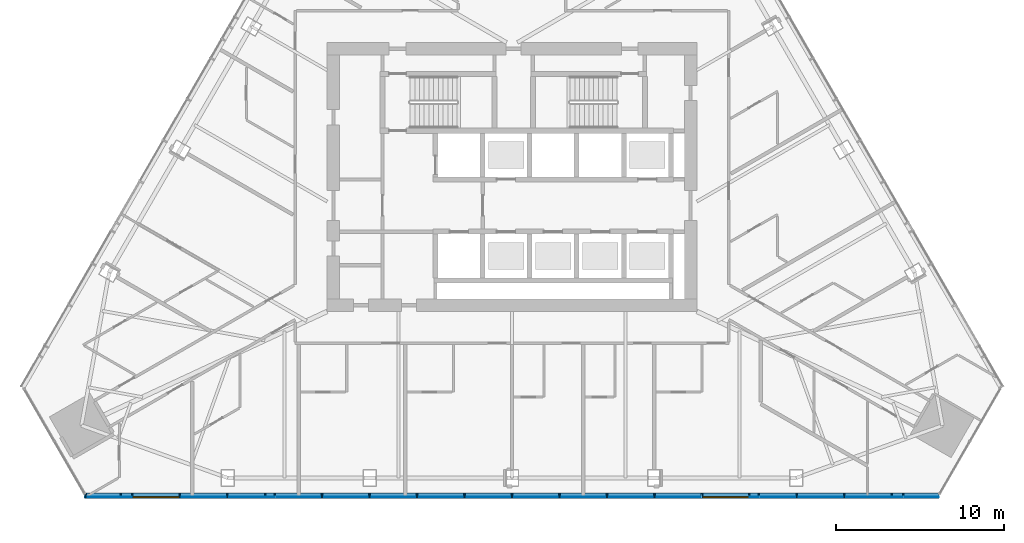
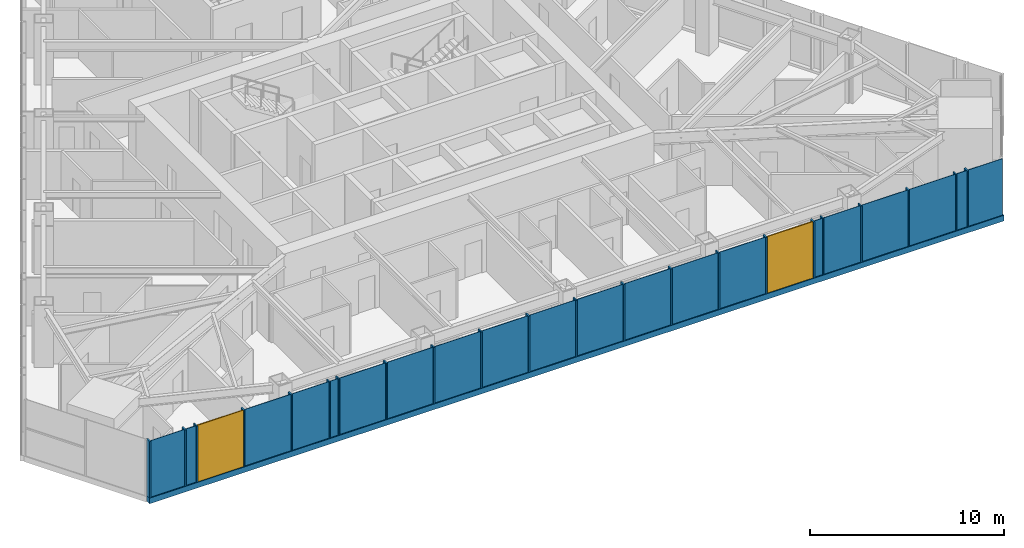
# One storey, part 3 of 20: 23 members, 20 plates, 2 windows, 2 openings, 1 element without a shape of its own.
"""IFC4 building model written with IfcOpenShell, lengths in metres."""

from ifc_helpers import new_model, si_unit, direction, frame, frame_2d, origin, origin_2d, place, context, subcontext, project, spatial, polyline, rectangle, outline, extrude, material, layer, layer_set, material_profile, profile_set, type_object, element, fill, aggregate, save


model = new_model("IFC4")

# Units and contexts
model_context = context("Model", 3, precision=1e-05, world=origin(), true_north=direction((0.0, 1.0)))
body_context = subcontext(model_context, "Body", "Model", "MODEL_VIEW")
ifc_project = project(units=[si_unit("LENGTHUNIT", "METRE"), si_unit("AREAUNIT", "SQUARE_METRE"), si_unit("VOLUMEUNIT", "CUBIC_METRE"), si_unit("PLANEANGLEUNIT", "RADIAN"), si_unit("MASSUNIT", "GRAM", prefix="KILO")], contexts=[model_context])

# Site, building, storey
site_placement = place(None, origin())
site = spatial("IfcSite", under=ifc_project, at=site_placement, CompositionType="ELEMENT")
building_placement = place(site_placement, origin())
building = spatial("IfcBuilding", under=site, at=building_placement, Name="Firuza Gate Tower and Library", CompositionType="ELEMENT")
storey_placement = place(building_placement, frame((0.0, 0.0, 214.300048828125)))
storey = spatial("IfcBuildingStorey", under=building, at=storey_placement, Name="L50", CompositionType="ELEMENT", Elevation=214.300048828125)

# Curtain wall, openings, members, plates, windows
ifc_material_1 = material(Name="Aluminium 6063-T6", Category="aluminium")
ifc_layer_1 = layer(ifc_material_1, 0.14990234375)
ifc_layer_set_1 = layer_set([ifc_layer_1], Name="Unitised curtain wall, hotel")
curtain_wall_type = type_object("IfcCurtainWallType", Name="Unitised curtain wall, hotel", PredefinedType="NOTDEFINED", material=ifc_layer_set_1)
curtain_wall_placement = place(storey_placement, origin())
curtain_wall = element("IfcCurtainWall", 1, at=curtain_wall_placement, inside=storey, type_object=curtain_wall_type, Name="CW2 L50 S face", PredefinedType="NOTDEFINED")
opening_1_placement = place(curtain_wall_placement, frame((52.453125, 55.952392578125, 0.14990234375), z_axis=(0.0, 0.0, 1.0), x_axis=(1.0, 0.0, 0.0)))
opening_1 = element("IfcOpeningElement", 2, at=opening_1_placement, cuts=curtain_wall, Name="Opening WD1-003", PredefinedType="OPENING", context=body_context, shape_type="SweptSolid", body=[
    extrude(rectangle(XDim=2.743408203125, YDim=3.550048828125, at=frame_2d((1.37158203125, 1.77490234375))), frame((0.0, 0.0849609375, 0.0), z_axis=(0.0, -1.0, 0.0), x_axis=(1.0, 0.0, 0.0)), (0.0, 0.0, 1.0), 0.169921875),
])
opening_2_placement = place(curtain_wall_placement, frame((86.33349609375, 55.952392578125, 0.14990234375), z_axis=(0.0, 0.0, 1.0), x_axis=(1.0, 0.0, 0.0)))
opening_2 = element("IfcOpeningElement", 3, at=opening_2_placement, cuts=curtain_wall, Name="Opening WD1-004", PredefinedType="OPENING", context=body_context, shape_type="SweptSolid", body=[
    extrude(rectangle(XDim=2.743408203125, YDim=3.550048828125, at=frame_2d((1.37158203125, 1.77490234375))), frame((0.0, 0.0849609375, 0.0), z_axis=(0.0, -1.0, 0.0), x_axis=(1.0, 0.0, 0.0)), (0.0, 0.0, 1.0), 0.169921875),
])
ifc_material_2 = material(Name="Aluminium 6063-T6", Category="aluminium")
ifc_material_profile_1 = material_profile(ifc_material_2, rectangle(XDim=0.320068359375, YDim=0.080078125, at=origin_2d()))
ifc_profile_set_1 = profile_set([ifc_material_profile_1], Name="Aluminium 6063-T6")
member_type_1 = type_object("IfcMemberType", Name="Curtain wall mullion 80x320", PredefinedType="MULLION", material=ifc_profile_set_1)
member_1_placement = place(storey_placement, frame((49.629638671875, 56.037353515625, 0.14990234375), z_axis=(0.0, 0.0, 1.0), x_axis=(0.0, 1.0, 0.0)))
member_1 = element("IfcMember", 4, at=member_1_placement, type_object=member_type_1, Name="Mullion", PredefinedType="MULLION", context=body_context, shape_type="SweptSolid", body=[
    extrude(rectangle(XDim=0.320068359375, YDim=0.080078125, at=origin_2d()), origin(), (0.0, 0.0, 1.0), 3.550048828125),
])
member_2_placement = place(storey_placement, frame((52.4130859375, 56.037353515625, 0.14990234375), z_axis=(0.0, 0.0, 1.0), x_axis=(0.0, 1.0, 0.0)))
member_2 = element("IfcMember", 5, at=member_2_placement, type_object=member_type_1, Name="Mullion", PredefinedType="MULLION", context=body_context, shape_type="SweptSolid", body=[
    extrude(rectangle(XDim=0.320068359375, YDim=0.080078125, at=origin_2d()), origin(), (0.0, 0.0, 1.0), 3.550048828125),
])
member_3_placement = place(storey_placement, frame((55.236328125, 56.037353515625, 0.14990234375), z_axis=(0.0, 0.0, 1.0), x_axis=(0.0, 1.0, 0.0)))
member_3 = element("IfcMember", 6, at=member_3_placement, type_object=member_type_1, Name="Mullion", PredefinedType="MULLION", context=body_context, shape_type="SweptSolid", body=[
    extrude(rectangle(XDim=0.320068359375, YDim=0.080078125, at=origin_2d()), origin(), (0.0, 0.0, 1.0), 3.550048828125),
])
member_4_placement = place(storey_placement, frame((58.059814453125, 56.037353515625, 0.14990234375), z_axis=(0.0, 0.0, 1.0), x_axis=(0.0, 1.0, 0.0)))
member_4 = element("IfcMember", 7, at=member_4_placement, type_object=member_type_1, Name="Mullion", PredefinedType="MULLION", context=body_context, shape_type="SweptSolid", body=[
    extrude(rectangle(XDim=0.320068359375, YDim=0.080078125, at=origin_2d()), origin(), (0.0, 0.0, 1.0), 3.550048828125),
])
member_5_placement = place(storey_placement, frame((60.883056640625, 56.037353515625, 0.14990234375), z_axis=(0.0, 0.0, 1.0), x_axis=(0.0, 1.0, 0.0)))
member_5 = element("IfcMember", 8, at=member_5_placement, type_object=member_type_1, Name="Mullion", PredefinedType="MULLION", context=body_context, shape_type="SweptSolid", body=[
    extrude(rectangle(XDim=0.320068359375, YDim=0.080078125, at=origin_2d()), origin(), (0.0, 0.0, 1.0), 3.550048828125),
])
member_6_placement = place(storey_placement, frame((63.70654296875, 56.037353515625, 0.14990234375), z_axis=(0.0, 0.0, 1.0), x_axis=(0.0, 1.0, 0.0)))
member_6 = element("IfcMember", 9, at=member_6_placement, type_object=member_type_1, Name="Mullion", PredefinedType="MULLION", context=body_context, shape_type="SweptSolid", body=[
    extrude(rectangle(XDim=0.320068359375, YDim=0.080078125, at=origin_2d()), origin(), (0.0, 0.0, 1.0), 3.550048828125),
])
member_7_placement = place(storey_placement, frame((66.52978515625, 56.037353515625, 0.14990234375), z_axis=(0.0, 0.0, 1.0), x_axis=(0.0, 1.0, 0.0)))
member_7 = element("IfcMember", 10, at=member_7_placement, type_object=member_type_1, Name="Mullion", PredefinedType="MULLION", context=body_context, shape_type="SweptSolid", body=[
    extrude(rectangle(XDim=0.320068359375, YDim=0.080078125, at=origin_2d()), origin(), (0.0, 0.0, 1.0), 3.550048828125),
])
member_8_placement = place(storey_placement, frame((69.353271484375, 56.037353515625, 0.14990234375), z_axis=(0.0, 0.0, 1.0), x_axis=(0.0, 1.0, 0.0)))
member_8 = element("IfcMember", 11, at=member_8_placement, type_object=member_type_1, Name="Mullion", PredefinedType="MULLION", context=body_context, shape_type="SweptSolid", body=[
    extrude(rectangle(XDim=0.320068359375, YDim=0.080078125, at=origin_2d()), origin(), (0.0, 0.0, 1.0), 3.550048828125),
])
member_9_placement = place(storey_placement, frame((72.176513671875, 56.037353515625, 0.14990234375), z_axis=(0.0, 0.0, 1.0), x_axis=(0.0, 1.0, 0.0)))
member_9 = element("IfcMember", 12, at=member_9_placement, type_object=member_type_1, Name="Mullion", PredefinedType="MULLION", context=body_context, shape_type="SweptSolid", body=[
    extrude(rectangle(XDim=0.320068359375, YDim=0.080078125, at=origin_2d()), origin(), (0.0, 0.0, 1.0), 3.550048828125),
])
member_10_placement = place(storey_placement, frame((75.0, 56.037353515625, 0.14990234375), z_axis=(0.0, 0.0, 1.0), x_axis=(0.0, 1.0, 0.0)))
member_10 = element("IfcMember", 13, at=member_10_placement, type_object=member_type_1, Name="Mullion", PredefinedType="MULLION", context=body_context, shape_type="SweptSolid", body=[
    extrude(rectangle(XDim=0.320068359375, YDim=0.080078125, at=origin_2d()), origin(), (0.0, 0.0, 1.0), 3.550048828125),
])
member_11_placement = place(storey_placement, frame((77.823486328125, 56.037353515625, 0.14990234375), z_axis=(0.0, 0.0, 1.0), x_axis=(0.0, 1.0, 0.0)))
member_11 = element("IfcMember", 14, at=member_11_placement, type_object=member_type_1, Name="Mullion", PredefinedType="MULLION", context=body_context, shape_type="SweptSolid", body=[
    extrude(rectangle(XDim=0.320068359375, YDim=0.080078125, at=origin_2d()), origin(), (0.0, 0.0, 1.0), 3.550048828125),
])
member_12_placement = place(storey_placement, frame((80.646728515625, 56.037353515625, 0.14990234375), z_axis=(0.0, 0.0, 1.0), x_axis=(0.0, 1.0, 0.0)))
member_12 = element("IfcMember", 15, at=member_12_placement, type_object=member_type_1, Name="Mullion", PredefinedType="MULLION", context=body_context, shape_type="SweptSolid", body=[
    extrude(rectangle(XDim=0.320068359375, YDim=0.080078125, at=origin_2d()), origin(), (0.0, 0.0, 1.0), 3.550048828125),
])
member_13_placement = place(storey_placement, frame((83.47021484375, 56.037353515625, 0.14990234375), z_axis=(0.0, 0.0, 1.0), x_axis=(0.0, 1.0, 0.0)))
member_13 = element("IfcMember", 16, at=member_13_placement, type_object=member_type_1, Name="Mullion", PredefinedType="MULLION", context=body_context, shape_type="SweptSolid", body=[
    extrude(rectangle(XDim=0.320068359375, YDim=0.080078125, at=origin_2d()), origin(), (0.0, 0.0, 1.0), 3.550048828125),
])
member_14_placement = place(storey_placement, frame((86.29345703125, 56.037353515625, 0.14990234375), z_axis=(0.0, 0.0, 1.0), x_axis=(0.0, 1.0, 0.0)))
member_14 = element("IfcMember", 17, at=member_14_placement, type_object=member_type_1, Name="Mullion", PredefinedType="MULLION", context=body_context, shape_type="SweptSolid", body=[
    extrude(rectangle(XDim=0.320068359375, YDim=0.080078125, at=origin_2d()), origin(), (0.0, 0.0, 1.0), 3.550048828125),
])
member_15_placement = place(storey_placement, frame((89.116943359375, 56.037353515625, 0.14990234375), z_axis=(0.0, 0.0, 1.0), x_axis=(0.0, 1.0, 0.0)))
member_15 = element("IfcMember", 18, at=member_15_placement, type_object=member_type_1, Name="Mullion", PredefinedType="MULLION", context=body_context, shape_type="SweptSolid", body=[
    extrude(rectangle(XDim=0.320068359375, YDim=0.080078125, at=origin_2d()), origin(), (0.0, 0.0, 1.0), 3.550048828125),
])
member_16_placement = place(storey_placement, frame((91.940185546875, 56.037353515625, 0.14990234375), z_axis=(0.0, 0.0, 1.0), x_axis=(0.0, 1.0, 0.0)))
member_16 = element("IfcMember", 19, at=member_16_placement, type_object=member_type_1, Name="Mullion", PredefinedType="MULLION", context=body_context, shape_type="SweptSolid", body=[
    extrude(rectangle(XDim=0.320068359375, YDim=0.080078125, at=origin_2d()), origin(), (0.0, 0.0, 1.0), 3.550048828125),
])
member_17_placement = place(storey_placement, frame((94.763671875, 56.037353515625, 0.14990234375), z_axis=(0.0, 0.0, 1.0), x_axis=(0.0, 1.0, 0.0)))
member_17 = element("IfcMember", 20, at=member_17_placement, type_object=member_type_1, Name="Mullion", PredefinedType="MULLION", context=body_context, shape_type="SweptSolid", body=[
    extrude(rectangle(XDim=0.320068359375, YDim=0.080078125, at=origin_2d()), origin(), (0.0, 0.0, 1.0), 3.550048828125),
])
member_18_placement = place(storey_placement, frame((97.5869140625, 56.037353515625, 0.14990234375), z_axis=(0.0, 0.0, 1.0), x_axis=(0.0, 1.0, 0.0)))
member_18 = element("IfcMember", 21, at=member_18_placement, type_object=member_type_1, Name="Mullion", PredefinedType="MULLION", context=body_context, shape_type="SweptSolid", body=[
    extrude(rectangle(XDim=0.320068359375, YDim=0.080078125, at=origin_2d()), origin(), (0.0, 0.0, 1.0), 3.550048828125),
])
member_19_placement = place(storey_placement, frame((51.729248046875, 56.037353515625, 0.14990234375), z_axis=(0.0, 0.0, 1.0), x_axis=(0.0, 1.0, 0.0)))
member_19 = element("IfcMember", 22, at=member_19_placement, type_object=member_type_1, Name="Mullion", PredefinedType="MULLION", context=body_context, shape_type="SweptSolid", body=[
    extrude(rectangle(XDim=0.320068359375, YDim=0.080078125, at=origin_2d()), origin(), (0.0, 0.0, 1.0), 3.550048828125),
])
member_20_placement = place(storey_placement, frame((60.322998046875, 56.037353515625, 0.14990234375), z_axis=(0.0, 0.0, 1.0), x_axis=(0.0, 1.0, 0.0)))
member_20 = element("IfcMember", 23, at=member_20_placement, type_object=member_type_1, Name="Mullion", PredefinedType="MULLION", context=body_context, shape_type="SweptSolid", body=[
    extrude(rectangle(XDim=0.320068359375, YDim=0.080078125, at=origin_2d()), origin(), (0.0, 0.0, 1.0), 3.550048828125),
])
member_21_placement = place(storey_placement, frame((89.677001953125, 56.037353515625, 0.14990234375), z_axis=(0.0, 0.0, 1.0), x_axis=(0.0, 1.0, 0.0)))
member_21 = element("IfcMember", 24, at=member_21_placement, type_object=member_type_1, Name="Mullion", PredefinedType="MULLION", context=body_context, shape_type="SweptSolid", body=[
    extrude(rectangle(XDim=0.320068359375, YDim=0.080078125, at=origin_2d()), origin(), (0.0, 0.0, 1.0), 3.550048828125),
])
member_22_placement = place(storey_placement, frame((98.270751953125, 56.037353515625, 0.14990234375), z_axis=(0.0, 0.0, 1.0), x_axis=(0.0, 1.0, 0.0)))
member_22 = element("IfcMember", 25, at=member_22_placement, type_object=member_type_1, Name="Mullion", PredefinedType="MULLION", context=body_context, shape_type="SweptSolid", body=[
    extrude(rectangle(XDim=0.320068359375, YDim=0.080078125, at=origin_2d()), origin(), (0.0, 0.0, 1.0), 3.550048828125),
])
ifc_material_3 = material(Name="Aluminium 6063-T6", Category="aluminium")
ifc_material_profile_2 = material_profile(ifc_material_3, rectangle(XDim=0.320068359375, YDim=0.35009765625, at=origin_2d()))
ifc_profile_set_2 = profile_set([ifc_material_profile_2], Name="Aluminium 6063-T6")
member_type_2 = type_object("IfcMemberType", Name="Curtain wall transom 350x320", PredefinedType="USERDEFINED", material=ifc_profile_set_2)
member_23_placement = place(storey_placement, frame((49.589599609375, 56.037353515625, -0.025146484375), z_axis=(1.0, 0.0, 0.0), x_axis=(0.0, 1.0, 0.0)))
member_23 = element("IfcMember", 26, at=member_23_placement, type_object=member_type_2, Name="Transom", ObjectType="TRANSOM", PredefinedType="USERDEFINED", context=body_context, shape_type="SweptSolid", body=[
    extrude(rectangle(XDim=0.320068359375, YDim=0.35009765625, at=origin_2d()), origin(), (0.0, 0.0, 1.0), 50.82080078125),
])
ifc_material_4 = material(Name="Fritted glass", Category="glass")
ifc_layer_2 = layer(ifc_material_4, 0.030029296875)
ifc_layer_set_2 = layer_set([ifc_layer_2], Name="Fritted glass unit, hotel")
plate_type_1 = type_object("IfcPlateType", Name="Fritted glass unit, hotel", PredefinedType="CURTAIN_PANEL", material=ifc_layer_set_2)
plate_1_placement = place(storey_placement, frame((51.769287109375, 55.9375, 0.14990234375), z_axis=(0.0, -1.0, 0.0), x_axis=(1.0, 0.0, 0.0)))
plate_1 = element("IfcPlate", 27, at=plate_1_placement, type_object=plate_type_1, Name="Glass unit", PredefinedType="CURTAIN_PANEL", context=body_context, shape_type="SweptSolid", body=[
    extrude(outline(polyline([(0.0, 0.0), (0.603759765625, 0.0), (0.603759765625, 3.550048828125), (0.0, 3.550048828125), (0.0, 0.0)])), origin(), (0.0, 0.0, -1.0), 0.030029296875),
])
plate_2_placement = place(storey_placement, frame((60.363037109375, 55.9375, 0.14990234375), z_axis=(0.0, -1.0, 0.0), x_axis=(1.0, 0.0, 0.0)))
plate_2 = element("IfcPlate", 28, at=plate_2_placement, type_object=plate_type_1, Name="Glass unit", PredefinedType="CURTAIN_PANEL", context=body_context, shape_type="SweptSolid", body=[
    extrude(outline(polyline([(0.0, 0.0), (0.480224609375, 0.0), (0.480224609375, 3.550048828125), (0.0, 3.550048828125), (0.0, 0.0)])), origin(), (0.0, 0.0, -1.0), 0.030029296875),
])
plate_3_placement = place(storey_placement, frame((60.923095703125, 55.9375, 0.14990234375), z_axis=(0.0, -1.0, 0.0), x_axis=(1.0, 0.0, 0.0)))
plate_3 = element("IfcPlate", 29, at=plate_3_placement, type_object=plate_type_1, Name="Glass unit", PredefinedType="CURTAIN_PANEL", context=body_context, shape_type="SweptSolid", body=[
    extrude(outline(polyline([(0.0, 0.0), (2.743408203125, 0.0), (2.743408203125, 3.550048828125), (0.0, 3.550048828125), (0.0, 0.0)])), origin(), (0.0, 0.0, -1.0), 0.030029296875),
])
plate_4_placement = place(storey_placement, frame((69.393310546875, 55.9375, 0.14990234375), z_axis=(0.0, -1.0, 0.0), x_axis=(1.0, 0.0, 0.0)))
plate_4 = element("IfcPlate", 30, at=plate_4_placement, type_object=plate_type_1, Name="Glass unit", PredefinedType="CURTAIN_PANEL", context=body_context, shape_type="SweptSolid", body=[
    extrude(outline(polyline([(0.0, 0.0), (2.743408203125, 0.0), (2.743408203125, 3.550048828125), (0.0, 3.550048828125), (0.0, 0.0)])), origin(), (0.0, 0.0, -1.0), 0.030029296875),
])
plate_5_placement = place(storey_placement, frame((77.86328125, 55.9375, 0.14990234375), z_axis=(0.0, -1.0, 0.0), x_axis=(1.0, 0.0, 0.0)))
plate_5 = element("IfcPlate", 31, at=plate_5_placement, type_object=plate_type_1, Name="Glass unit", PredefinedType="CURTAIN_PANEL", context=body_context, shape_type="SweptSolid", body=[
    extrude(outline(polyline([(0.0, 0.0), (2.743408203125, 0.0), (2.743408203125, 3.550048828125), (0.0, 3.550048828125), (0.0, 0.0)])), origin(), (0.0, 0.0, -1.0), 0.030029296875),
])
plate_6_placement = place(storey_placement, frame((89.15673828125, 55.9375, 0.14990234375), z_axis=(0.0, -1.0, 0.0), x_axis=(1.0, 0.0, 0.0)))
plate_6 = element("IfcPlate", 32, at=plate_6_placement, type_object=plate_type_1, Name="Glass unit", PredefinedType="CURTAIN_PANEL", context=body_context, shape_type="SweptSolid", body=[
    extrude(outline(polyline([(0.0, 0.0), (0.480224609375, 0.0), (0.480224609375, 3.550048828125), (0.0, 3.550048828125), (0.0, 0.0)])), origin(), (0.0, 0.0, -1.0), 0.030029296875),
])
plate_7_placement = place(storey_placement, frame((94.803466796875, 55.9375, 0.14990234375), z_axis=(0.0, -1.0, 0.0), x_axis=(1.0, 0.0, 0.0)))
plate_7 = element("IfcPlate", 33, at=plate_7_placement, type_object=plate_type_1, Name="Glass unit", PredefinedType="CURTAIN_PANEL", context=body_context, shape_type="SweptSolid", body=[
    extrude(outline(polyline([(0.0, 0.0), (2.743408203125, 0.0), (2.743408203125, 3.550048828125), (0.0, 3.550048828125), (0.0, 0.0)])), origin(), (0.0, 0.0, -1.0), 0.030029296875),
])
plate_8_placement = place(storey_placement, frame((97.626953125, 55.9375, 0.14990234375), z_axis=(0.0, -1.0, 0.0), x_axis=(1.0, 0.0, 0.0)))
plate_8 = element("IfcPlate", 34, at=plate_8_placement, type_object=plate_type_1, Name="Glass unit", PredefinedType="CURTAIN_PANEL", context=body_context, shape_type="SweptSolid", body=[
    extrude(outline(polyline([(0.0, 0.0), (0.603759765625, 0.0), (0.603759765625, 3.550048828125), (0.0, 3.550048828125), (0.0, 0.0)])), origin(), (0.0, 0.0, -1.0), 0.030029296875),
])
ifc_material_5 = material(Name="Glazed ceramic tile")
ifc_layer_3 = layer(ifc_material_5, 0.030029296875)
ifc_layer_set_3 = layer_set([ifc_layer_3], Name="Opaque ceramic panel, hotel")
plate_type_2 = type_object("IfcPlateType", Name="Opaque ceramic panel, hotel", PredefinedType="CURTAIN_PANEL", material=ifc_layer_set_3)
plate_9_placement = place(storey_placement, frame((49.629638671875, 55.9375, 0.14990234375), z_axis=(0.0, -1.0, 0.0), x_axis=(1.0, 0.0, 0.0)))
plate_9 = element("IfcPlate", 35, at=plate_9_placement, type_object=plate_type_2, Name="Opaque ceramic panel", PredefinedType="CURTAIN_PANEL", context=body_context, shape_type="SweptSolid", body=[
    extrude(outline(polyline([(0.0, 0.0), (2.0595703125, 0.0), (2.0595703125, 3.550048828125), (0.0, 3.550048828125), (0.0, 0.0)])), origin(), (0.0, 0.0, -1.0), 0.030029296875),
])
plate_10_placement = place(storey_placement, frame((55.2763671875, 55.9375, 0.14990234375), z_axis=(0.0, -1.0, 0.0), x_axis=(1.0, 0.0, 0.0)))
plate_10 = element("IfcPlate", 36, at=plate_10_placement, type_object=plate_type_2, Name="Opaque ceramic panel", PredefinedType="CURTAIN_PANEL", context=body_context, shape_type="SweptSolid", body=[
    extrude(outline(polyline([(0.0, 0.0), (2.743408203125, 0.0), (2.743408203125, 3.550048828125), (0.0, 3.550048828125), (0.0, 0.0)])), origin(), (0.0, 0.0, -1.0), 0.030029296875),
])
plate_11_placement = place(storey_placement, frame((58.099853515625, 55.9375, 0.14990234375), z_axis=(0.0, -1.0, 0.0), x_axis=(1.0, 0.0, 0.0)))
plate_11 = element("IfcPlate", 37, at=plate_11_placement, type_object=plate_type_2, Name="Opaque ceramic panel", PredefinedType="CURTAIN_PANEL", context=body_context, shape_type="SweptSolid", body=[
    extrude(outline(polyline([(0.0, 0.0), (2.18310546875, 0.0), (2.18310546875, 3.550048828125), (0.0, 3.550048828125), (0.0, 0.0)])), origin(), (0.0, 0.0, -1.0), 0.030029296875),
])
plate_12_placement = place(storey_placement, frame((63.74658203125, 55.9375, 0.14990234375), z_axis=(0.0, -1.0, 0.0), x_axis=(1.0, 0.0, 0.0)))
plate_12 = element("IfcPlate", 38, at=plate_12_placement, type_object=plate_type_2, Name="Opaque ceramic panel", PredefinedType="CURTAIN_PANEL", context=body_context, shape_type="SweptSolid", body=[
    extrude(outline(polyline([(0.0, 0.0), (2.743408203125, 0.0), (2.743408203125, 3.550048828125), (0.0, 3.550048828125), (0.0, 0.0)])), origin(), (0.0, 0.0, -1.0), 0.030029296875),
])
plate_13_placement = place(storey_placement, frame((66.56982421875, 55.9375, 0.14990234375), z_axis=(0.0, -1.0, 0.0), x_axis=(1.0, 0.0, 0.0)))
plate_13 = element("IfcPlate", 39, at=plate_13_placement, type_object=plate_type_2, Name="Opaque ceramic panel", PredefinedType="CURTAIN_PANEL", context=body_context, shape_type="SweptSolid", body=[
    extrude(outline(polyline([(0.0, 0.0), (2.743408203125, 0.0), (2.743408203125, 3.550048828125), (0.0, 3.550048828125), (0.0, 0.0)])), origin(), (0.0, 0.0, -1.0), 0.030029296875),
])
plate_14_placement = place(storey_placement, frame((72.216552734375, 55.9375, 0.14990234375), z_axis=(0.0, -1.0, 0.0), x_axis=(1.0, 0.0, 0.0)))
plate_14 = element("IfcPlate", 40, at=plate_14_placement, type_object=plate_type_2, Name="Opaque ceramic panel", PredefinedType="CURTAIN_PANEL", context=body_context, shape_type="SweptSolid", body=[
    extrude(outline(polyline([(0.0, 0.0), (2.743408203125, 0.0), (2.743408203125, 3.550048828125), (0.0, 3.550048828125), (0.0, 0.0)])), origin(), (0.0, 0.0, -1.0), 0.030029296875),
])
plate_15_placement = place(storey_placement, frame((75.0400390625, 55.9375, 0.14990234375), z_axis=(0.0, -1.0, 0.0), x_axis=(1.0, 0.0, 0.0)))
plate_15 = element("IfcPlate", 41, at=plate_15_placement, type_object=plate_type_2, Name="Opaque ceramic panel", PredefinedType="CURTAIN_PANEL", context=body_context, shape_type="SweptSolid", body=[
    extrude(outline(polyline([(0.0, 0.0), (2.743408203125, 0.0), (2.743408203125, 3.550048828125), (0.0, 3.550048828125), (0.0, 0.0)])), origin(), (0.0, 0.0, -1.0), 0.030029296875),
])
plate_16_placement = place(storey_placement, frame((80.686767578125, 55.9375, 0.14990234375), z_axis=(0.0, -1.0, 0.0), x_axis=(1.0, 0.0, 0.0)))
plate_16 = element("IfcPlate", 42, at=plate_16_placement, type_object=plate_type_2, Name="Opaque ceramic panel", PredefinedType="CURTAIN_PANEL", context=body_context, shape_type="SweptSolid", body=[
    extrude(outline(polyline([(0.0, 0.0), (2.743408203125, 0.0), (2.743408203125, 3.550048828125), (0.0, 3.550048828125), (0.0, 0.0)])), origin(), (0.0, 0.0, -1.0), 0.030029296875),
])
plate_17_placement = place(storey_placement, frame((83.510009765625, 55.9375, 0.14990234375), z_axis=(0.0, -1.0, 0.0), x_axis=(1.0, 0.0, 0.0)))
plate_17 = element("IfcPlate", 43, at=plate_17_placement, type_object=plate_type_2, Name="Opaque ceramic panel", PredefinedType="CURTAIN_PANEL", context=body_context, shape_type="SweptSolid", body=[
    extrude(outline(polyline([(0.0, 0.0), (2.743408203125, 0.0), (2.743408203125, 3.550048828125), (0.0, 3.550048828125), (0.0, 0.0)])), origin(), (0.0, 0.0, -1.0), 0.030029296875),
])
plate_18_placement = place(storey_placement, frame((89.717041015625, 55.9375, 0.14990234375), z_axis=(0.0, -1.0, 0.0), x_axis=(1.0, 0.0, 0.0)))
plate_18 = element("IfcPlate", 44, at=plate_18_placement, type_object=plate_type_2, Name="Opaque ceramic panel", PredefinedType="CURTAIN_PANEL", context=body_context, shape_type="SweptSolid", body=[
    extrude(outline(polyline([(0.0, 0.0), (2.18310546875, 0.0), (2.18310546875, 3.550048828125), (0.0, 3.550048828125), (0.0, 0.0)])), origin(), (0.0, 0.0, -1.0), 0.030029296875),
])
plate_19_placement = place(storey_placement, frame((91.980224609375, 55.9375, 0.14990234375), z_axis=(0.0, -1.0, 0.0), x_axis=(1.0, 0.0, 0.0)))
plate_19 = element("IfcPlate", 45, at=plate_19_placement, type_object=plate_type_2, Name="Opaque ceramic panel", PredefinedType="CURTAIN_PANEL", context=body_context, shape_type="SweptSolid", body=[
    extrude(outline(polyline([(0.0, 0.0), (2.743408203125, 0.0), (2.743408203125, 3.550048828125), (0.0, 3.550048828125), (0.0, 0.0)])), origin(), (0.0, 0.0, -1.0), 0.030029296875),
])
plate_20_placement = place(storey_placement, frame((98.310791015625, 55.9375, 0.14990234375), z_axis=(0.0, -1.0, 0.0), x_axis=(1.0, 0.0, 0.0)))
plate_20 = element("IfcPlate", 46, at=plate_20_placement, type_object=plate_type_2, Name="Opaque ceramic panel", PredefinedType="CURTAIN_PANEL", context=body_context, shape_type="SweptSolid", body=[
    extrude(outline(polyline([(0.0, 0.0), (2.0595703125, 0.0), (2.0595703125, 3.550048828125), (0.0, 3.550048828125), (0.0, 0.0)])), origin(), (0.0, 0.0, -1.0), 0.030029296875),
])
aggregate(curtain_wall, [member_1, member_2, member_3, member_4, member_5, member_6, member_7, member_8, member_9, member_10, member_11, member_12, member_13, member_14, member_15, member_16, member_17, member_18, member_23, plate_9, plate_1, member_19, plate_10, plate_11, plate_2, member_20, plate_3, plate_12, plate_13, plate_4, plate_14, plate_15, plate_5, plate_16, plate_17, plate_6, plate_18, member_21, plate_19, plate_7, plate_8, plate_20, member_22])
ifc_material_6 = material(Name="Aluminium 6063-T6 and glass", Category="aluminium")
ifc_layer_4 = layer(ifc_material_6, 0.030029296875)
ifc_layer_set_4 = layer_set([ifc_layer_4], Name="Operable glazed unit")
window_type = type_object("IfcWindowType", Name="Operable glazed unit", PartitioningType="SINGLE_PANEL", PredefinedType="WINDOW", material=ifc_layer_set_4)
window_1_placement = place(opening_1_placement, origin())
window_1 = element("IfcWindow", 47, at=window_1_placement, inside=storey, type_object=window_type, Name="Operable glazed unit", OverallHeight=3.550048828125, OverallWidth=2.743408203125, PartitioningType="SINGLE_PANEL", PredefinedType="WINDOW", context=body_context, shape_type="SweptSolid", body=[
    extrude(rectangle(XDim=2.743408203125, YDim=3.550048828125, at=frame_2d((1.37158203125, 1.77490234375))), frame((0.0, 0.030029296875, 0.0), z_axis=(0.0, -1.0, 0.0), x_axis=(1.0, 0.0, 0.0)), (0.0, 0.0, 1.0), 0.06005859375),
])
fill(opening_1, window_1)
window_2_placement = place(opening_2_placement, origin())
window_2 = element("IfcWindow", 48, at=window_2_placement, inside=storey, type_object=window_type, Name="Operable glazed unit", OverallHeight=3.550048828125, OverallWidth=2.743408203125, PartitioningType="SINGLE_PANEL", PredefinedType="WINDOW", context=body_context, shape_type="SweptSolid", body=[
    extrude(rectangle(XDim=2.743408203125, YDim=3.550048828125, at=frame_2d((1.37158203125, 1.77490234375))), frame((0.0, 0.030029296875, 0.0), z_axis=(0.0, -1.0, 0.0), x_axis=(1.0, 0.0, 0.0)), (0.0, 0.0, 1.0), 0.06005859375),
])
fill(opening_2, window_2)

save(model, "model.ifc")
